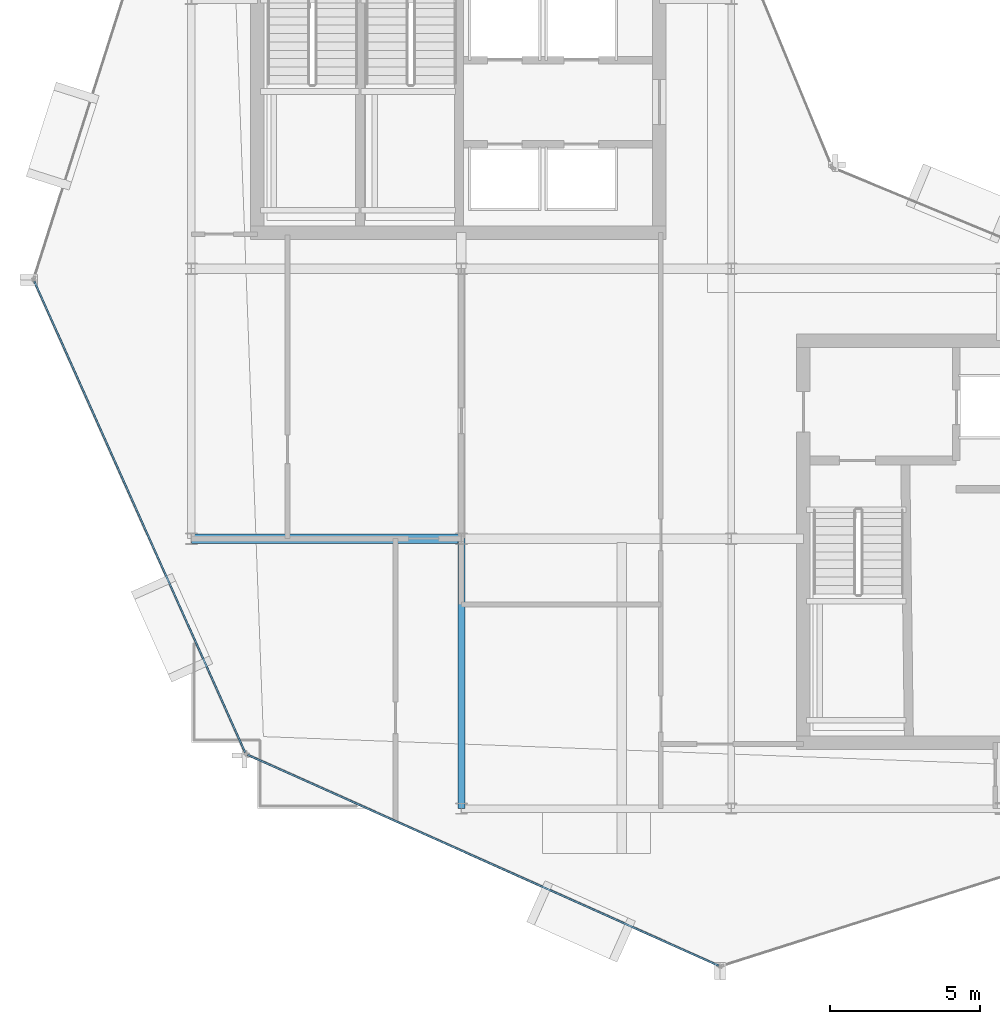
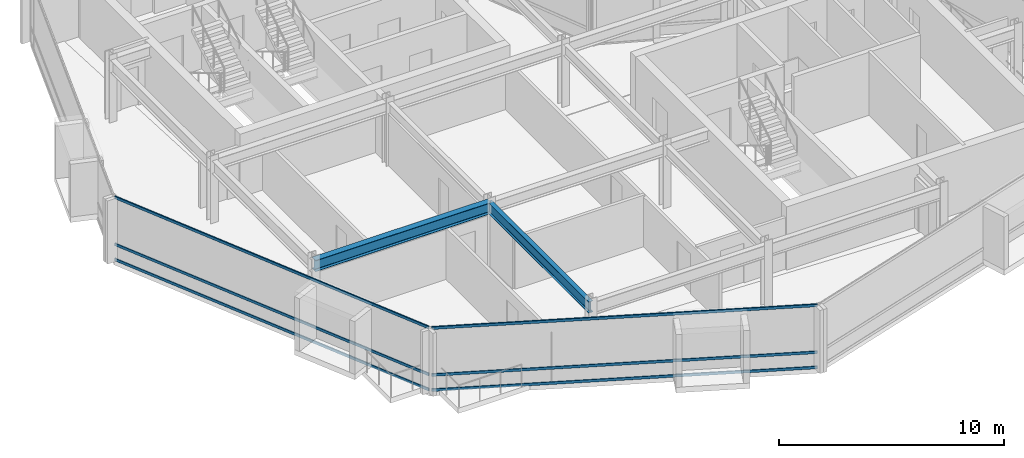
# One storey, part 3 of 19: 6 members, 2 beams, 2 elements without a shape of their own.
"""IFC4 building model written with IfcOpenShell, lengths in metres."""

from ifc_helpers import new_model, si_unit, direction, frame, origin, origin_2d, place, context, subcontext, project, spatial, hollow_rectangle, i_section, extrude, material, layer, layer_set, material_profile, profile_set, type_object, element, aggregate, save


model = new_model("IFC4")

# Units and contexts
model_context = context("Model", 3, precision=1e-05, world=origin(), true_north=direction((0.0, 1.0)))
body_context = subcontext(model_context, "Body", "Model", "MODEL_VIEW")
ifc_project = project(units=[si_unit("LENGTHUNIT", "METRE"), si_unit("AREAUNIT", "SQUARE_METRE"), si_unit("VOLUMEUNIT", "CUBIC_METRE"), si_unit("PLANEANGLEUNIT", "RADIAN"), si_unit("MASSUNIT", "GRAM", prefix="KILO")], contexts=[model_context])

# Site, building, storey
site_placement = place(None, origin())
site = spatial("IfcSite", under=ifc_project, at=site_placement, CompositionType="ELEMENT")
building_placement = place(site_placement, origin())
building = spatial("IfcBuilding", under=site, at=building_placement, Name="Solvaryn Broadcast Tower", CompositionType="ELEMENT")
storey_placement = place(building_placement, frame((0.0, 0.0, 266.699951171875)))
storey = spatial("IfcBuildingStorey", under=building, at=storey_placement, Name="L67", CompositionType="ELEMENT", Elevation=266.699951171875)

# Beams
ifc_material_1 = material(Name="Steel ASTM A992 Grade 50", Category="steel")
ifc_material_profile_1 = material_profile(ifc_material_1, i_section(OverallWidth=0.323974609375, OverallDepth=0.611083984375, WebThickness=0.0126953125, FlangeThickness=0.01904296875, FilletRadius=0.014892578125, at=origin_2d()))
ifc_profile_set_1 = profile_set([ifc_material_profile_1], Name="Steel ASTM A992 Grade 50")
beam_type_1 = type_object("IfcBeamType", Name="BM-B1-W24X104", PredefinedType="BEAM", material=ifc_profile_set_1)
beam_1_placement = place(storey_placement, frame((9.0, 18.0, 3.114501953125), z_axis=(1.0, 0.0, 0.0), x_axis=(0.0, 1.0, 0.0)))
element("IfcBeam", 1, at=beam_1_placement, inside=storey, type_object=beam_type_1, Name="L67 Primary Beam X (9-18 @ Y=18)", PredefinedType="BEAM", context=body_context, shape_type="SweptSolid", body=[
    extrude(i_section(OverallWidth=0.323974609375, OverallDepth=0.611083984375, WebThickness=0.0126953125, FlangeThickness=0.01904296875, FilletRadius=0.014892578125, at=origin_2d()), origin(), (0.0, 0.0, 1.0), 9.0),
])
ifc_material_2 = material(Name="Steel ASTM A992 Grade 50", Category="steel")
ifc_material_profile_2 = material_profile(ifc_material_2, i_section(OverallWidth=0.22802734375, OverallDepth=0.60791015625, WebThickness=0.01123046875, FlangeThickness=0.017333984375, FilletRadius=0.014892578125, at=origin_2d()))
ifc_profile_set_2 = profile_set([ifc_material_profile_2], Name="Steel ASTM A992 Grade 50")
beam_type_2 = type_object("IfcBeamType", Name="BM-B2-W24X76", PredefinedType="BEAM", material=ifc_profile_set_2)
beam_2_placement = place(storey_placement, frame((18.0, 9.0, 3.115966796875), z_axis=(0.0, 1.0, 0.0), x_axis=(-1.0, 0.0, 0.0)))
element("IfcBeam", 2, at=beam_2_placement, inside=storey, type_object=beam_type_2, Name="L67 Primary Beam Y (9-18 @ X=18)", PredefinedType="BEAM", context=body_context, shape_type="SweptSolid", body=[
    extrude(i_section(OverallWidth=0.22802734375, OverallDepth=0.60791015625, WebThickness=0.01123046875, FlangeThickness=0.017333984375, FilletRadius=0.014892578125, at=origin_2d()), origin(), (0.0, 0.0, 1.0), 9.0),
])

# Curtain wall, members
ifc_material_3 = material(Name="Aluminium and Terracotta Unitised Curtain Wall", Category="masonry")
ifc_layer_1 = layer(ifc_material_3, 0.239990234375)
ifc_layer_set_1 = layer_set([ifc_layer_1], Name="CW-SYS3-BAYBOX")
curtain_wall_type_1 = type_object("IfcCurtainWallType", Name="CW-SYS3-BAYBOX", PredefinedType="NOTDEFINED", material=ifc_layer_set_1)
curtain_wall_1_placement = place(storey_placement, origin())
curtain_wall_1 = element("IfcCurtainWall", 3, at=curtain_wall_1_placement, inside=storey, type_object=curtain_wall_type_1, Name="L67 Curtain Wall DR2", PredefinedType="NOTDEFINED")
ifc_material_4 = material(Name="Anodised Aluminium 6063-T6", Category="aluminium")
ifc_material_profile_3 = material_profile(ifc_material_4, hollow_rectangle(XDim=0.06494140625, YDim=0.14990234375, WallThickness=0.00390625, InnerFilletRadius=0.00390625, OuterFilletRadius=0.008056640625, at=origin_2d()))
ifc_profile_set_3 = profile_set([ifc_material_profile_3], Name="Anodised Aluminium 6063-T6")
member_type = type_object("IfcMemberType", Name="CW-TRN-150", PredefinedType="USERDEFINED", material=ifc_profile_set_3)
member_1_placement = place(storey_placement, frame((3.762451171875, 26.581298828125, 0.030029296875), z_axis=(0.408468080937, -0.912772604133, 0.0), x_axis=(0.912772604133, 0.408468080937, 0.0)))
member_1 = element("IfcMember", 4, at=member_1_placement, type_object=member_type, Name="CWS3 transom 1.1", ObjectType="TRANSOM", PredefinedType="USERDEFINED", context=body_context, shape_type="SweptSolid", body=[
    extrude(hollow_rectangle(XDim=0.06494140625, YDim=0.14990234375, WallThickness=0.00390625, InnerFilletRadius=0.00390625, OuterFilletRadius=0.008056640625, at=origin_2d()), origin(), (0.0, 0.0, 1.0), 17.210693359375),
])
member_2_placement = place(storey_placement, frame((3.762451171875, 26.581298828125, 0.85009765625), z_axis=(0.408468080937, -0.912772604133, 0.0), x_axis=(0.912772604133, 0.408468080937, 0.0)))
member_2 = element("IfcMember", 5, at=member_2_placement, type_object=member_type, Name="CWS3 transom 1.2", ObjectType="TRANSOM", PredefinedType="USERDEFINED", context=body_context, shape_type="SweptSolid", body=[
    extrude(hollow_rectangle(XDim=0.06494140625, YDim=0.14990234375, WallThickness=0.00390625, InnerFilletRadius=0.00390625, OuterFilletRadius=0.008056640625, at=origin_2d()), origin(), (0.0, 0.0, 1.0), 17.210693359375),
])
member_3_placement = place(storey_placement, frame((3.762451171875, 26.581298828125, 3.39013671875), z_axis=(0.408468080937, -0.912772604133, 0.0), x_axis=(0.912772604133, 0.408468080937, 0.0)))
member_3 = element("IfcMember", 6, at=member_3_placement, type_object=member_type, Name="CWS3 transom 1.3", ObjectType="TRANSOM", PredefinedType="USERDEFINED", context=body_context, shape_type="SweptSolid", body=[
    extrude(hollow_rectangle(XDim=0.06494140625, YDim=0.14990234375, WallThickness=0.00390625, InnerFilletRadius=0.00390625, OuterFilletRadius=0.008056640625, at=origin_2d()), origin(), (0.0, 0.0, 1.0), 17.210693359375),
])
aggregate(curtain_wall_1, [member_1, member_2, member_3])

ifc_material_5 = material(Name="Aluminium and Terracotta Unitised Curtain Wall", Category="masonry")
ifc_layer_2 = layer(ifc_material_5, 0.199951171875)
ifc_layer_set_2 = layer_set([ifc_layer_2], Name="CW-SYS2-LOWMID")
curtain_wall_type_2 = type_object("IfcCurtainWallType", Name="CW-SYS2-LOWMID", PredefinedType="NOTDEFINED", material=ifc_layer_set_2)
curtain_wall_2_placement = place(storey_placement, origin())
curtain_wall_2 = element("IfcCurtainWall", 7, at=curtain_wall_2_placement, inside=storey, type_object=curtain_wall_type_2, Name="L67 Curtain Wall DR3", PredefinedType="NOTDEFINED")
member_4_placement = place(storey_placement, frame((10.871826171875, 10.79248046875, 0.030029296875), z_axis=(0.912772604133, -0.408468080937, 0.0), x_axis=(0.408468080937, 0.912772604133, 0.0)))
member_4 = element("IfcMember", 8, at=member_4_placement, type_object=member_type, Name="CWS2 transom 1.1", ObjectType="TRANSOM", PredefinedType="USERDEFINED", context=body_context, shape_type="SweptSolid", body=[
    extrude(hollow_rectangle(XDim=0.06494140625, YDim=0.14990234375, WallThickness=0.00390625, InnerFilletRadius=0.00390625, OuterFilletRadius=0.008056640625, at=origin_2d()), origin(), (0.0, 0.0, 1.0), 17.210693359375),
])
member_5_placement = place(storey_placement, frame((10.871826171875, 10.79248046875, 0.85009765625), z_axis=(0.912772604133, -0.408468080937, 0.0), x_axis=(0.408468080937, 0.912772604133, 0.0)))
member_5 = element("IfcMember", 9, at=member_5_placement, type_object=member_type, Name="CWS2 transom 1.2", ObjectType="TRANSOM", PredefinedType="USERDEFINED", context=body_context, shape_type="SweptSolid", body=[
    extrude(hollow_rectangle(XDim=0.06494140625, YDim=0.14990234375, WallThickness=0.00390625, InnerFilletRadius=0.00390625, OuterFilletRadius=0.008056640625, at=origin_2d()), origin(), (0.0, 0.0, 1.0), 17.210693359375),
])
member_6_placement = place(storey_placement, frame((10.871826171875, 10.79248046875, 3.39013671875), z_axis=(0.912772604133, -0.408468080937, 0.0), x_axis=(0.408468080937, 0.912772604133, 0.0)))
member_6 = element("IfcMember", 10, at=member_6_placement, type_object=member_type, Name="CWS2 transom 1.3", ObjectType="TRANSOM", PredefinedType="USERDEFINED", context=body_context, shape_type="SweptSolid", body=[
    extrude(hollow_rectangle(XDim=0.06494140625, YDim=0.14990234375, WallThickness=0.00390625, InnerFilletRadius=0.00390625, OuterFilletRadius=0.008056640625, at=origin_2d()), origin(), (0.0, 0.0, 1.0), 17.210693359375),
])
aggregate(curtain_wall_2, [member_4, member_5, member_6])

save(model, "model.ifc")
